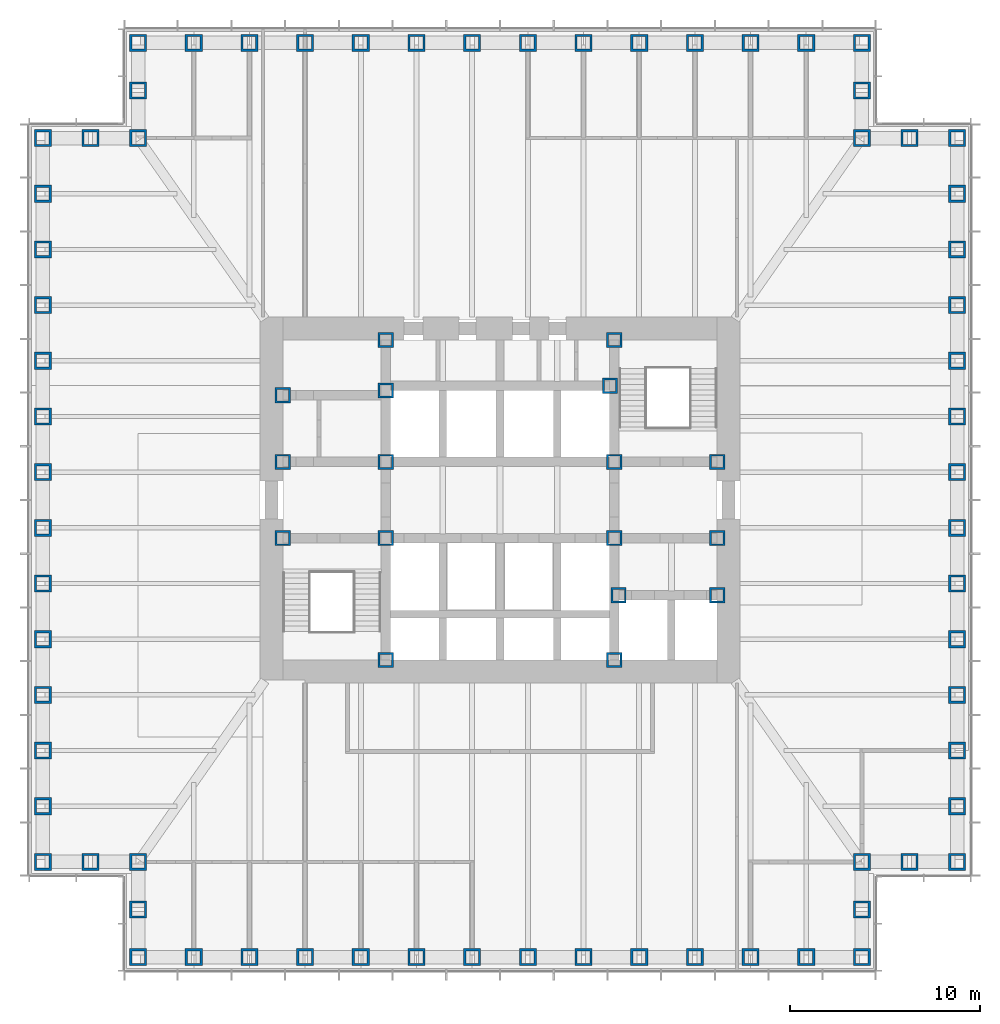
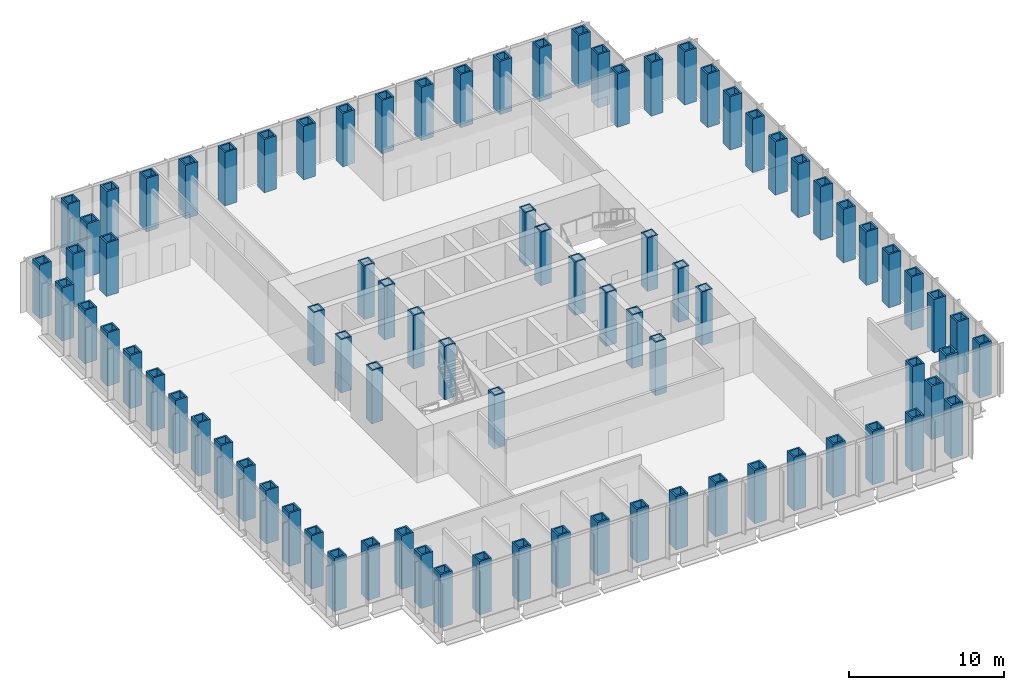
# One storey, part 1 of 16: 85 columns.
"""IFC4 building model written with IfcOpenShell, lengths in metres."""

from ifc_helpers import new_model, si_unit, direction, frame, origin, origin_2d, place, context, subcontext, project, spatial, hollow_rectangle, extrude, material, material_profile, profile_set, type_object, element, save


model = new_model("IFC4")

# Units and contexts
model_context = context("Model", 3, precision=1e-05, world=origin(), true_north=direction((0.0, 1.0)))
body_context = subcontext(model_context, "Body", "Model", "MODEL_VIEW")
ifc_project = project(units=[si_unit("LENGTHUNIT", "METRE"), si_unit("AREAUNIT", "SQUARE_METRE"), si_unit("VOLUMEUNIT", "CUBIC_METRE"), si_unit("PLANEANGLEUNIT", "RADIAN"), si_unit("MASSUNIT", "GRAM", prefix="KILO")], contexts=[model_context])

# Site, building, storey
site_placement = place(None, origin())
site = spatial("IfcSite", under=ifc_project, at=site_placement, CompositionType="ELEMENT")
building_placement = place(site_placement, origin())
building = spatial("IfcBuilding", under=site, at=building_placement, Name="Daluyong Arena Tower", CompositionType="ELEMENT")
storey_placement = place(building_placement, frame((0.0, 0.0, 93.699951171875)))
storey = spatial("IfcBuildingStorey", under=building, at=storey_placement, Name="L20", CompositionType="ELEMENT", Elevation=93.699951171875)

# Columns
ifc_material_1 = material(Name="Steel ASTM A572 Grade 50", Category="steel")
ifc_material_profile_1 = material_profile(ifc_material_1, hollow_rectangle(XDim=0.800048828125, YDim=0.800048828125, WallThickness=0.1, at=origin_2d()))
ifc_profile_set_1 = profile_set([ifc_material_profile_1], Name="Steel ASTM A572 Grade 50")
column_type_1 = type_object("IfcColumnType", Name="Core boundary column BX800X100", PredefinedType="COLUMN", material=ifc_profile_set_1)
for number, where, z_axis, x_axis, name in (
    (1, (44.60009765625, 78.0, 0.0), (0.0, 0.0, 1.0), (1.0, 0.0, 0.0), "core boundary column BC2"),
    (2, (44.60009765625, 82.0, 0.0), (0.0, 0.0, 1.0), (1.0, 0.0, 0.0), "core boundary column BC2"),
    (3, (44.60009765625, 85.5, 0.0), (0.0, 0.0, 1.0), (1.0, 0.0, 0.0), "core boundary column BC2"),
    (4, (50.0, 71.60009765625, 0.0), (0.0, 0.0, 1.0), (1.0, 0.0, 0.0), "core boundary column BC2"),
    (5, (50.0, 78.0, 0.0), (0.0, 0.0, 1.0), (1.0, 0.0, 0.0), "core boundary column BC2"),
    (6, (50.0, 82.0, 0.0), (0.0, 0.0, 1.0), (1.0, 0.0, 0.0), "core boundary column BC2"),
    (7, (50.0, 85.75, 0.0), (0.0, 0.0, 1.0), (1.0, 0.0, 0.0), "core boundary column BC2"),
    (8, (50.0, 88.39990234375, 0.0), (0.0, 0.0, 1.0), (1.0, 0.0, 0.0), "core boundary column BC2"),
    (9, (61.77490234375, 86.0, 0.0), (0.0, 0.0, 1.0), (1.0, 0.0, 0.0), "core boundary column BC2"),
    (10, (62.0, 71.60009765625, 0.0), (0.0, 0.0, 1.0), (1.0, 0.0, 0.0), "core boundary column BC2"),
    (11, (62.0, 78.0, 0.0), (0.0, 0.0, 1.0), (1.0, 0.0, 0.0), "core boundary column BC2"),
    (12, (62.0, 82.0, 0.0), (0.0, 0.0, 1.0), (1.0, 0.0, 0.0), "core boundary column BC2"),
    (13, (62.0, 88.39990234375, 0.0), (0.0, 0.0, 1.0), (1.0, 0.0, 0.0), "core boundary column BC2"),
    (14, (62.22509765625, 75.0, 0.0), (0.0, 0.0, 1.0), (1.0, 0.0, 0.0), "core boundary column BC2"),
    (15, (67.39990234375, 75.0, 0.0), (0.0, 0.0, 1.0), (1.0, 0.0, 0.0), "core boundary column BC2"),
    (16, (67.39990234375, 78.0, 0.0), (0.0, 0.0, 1.0), (1.0, 0.0, 0.0), "core boundary column BC2"),
    (17, (67.39990234375, 82.0, 0.0), (0.0, 0.0, 1.0), (1.0, 0.0, 0.0), "core boundary column BC2"),
):
    element("IfcColumn", number, at=place(storey_placement, frame(where, z_axis=z_axis, x_axis=x_axis)), inside=storey, type_object=column_type_1, Name=name, PredefinedType="COLUMN", context=body_context, shape_type="SweptSolid", body=[
        extrude(hollow_rectangle(XDim=0.800048828125, YDim=0.800048828125, WallThickness=0.1, at=origin_2d()), origin(), (0.0, 0.0, 1.0), 4.199951171875),
    ])
ifc_material_2 = material(Name="Steel ASTM A588 Grade 50", Category="steel")
ifc_material_profile_2 = material_profile(ifc_material_2, hollow_rectangle(XDim=0.89990234375, YDim=0.89990234375, WallThickness=0.12, at=origin_2d()))
ifc_profile_set_2 = profile_set([ifc_material_profile_2], Name="Steel ASTM A588 Grade 50")
column_type_2 = type_object("IfcColumnType", Name="Tube column BX900X120 BX900X120", PredefinedType="COLUMN", material=ifc_profile_set_2)
for number, where, z_axis, x_axis, name in (
    (18, (37.0, 56.0, 0.0), (0.0, 0.0, 1.0), (1.0, 0.0, 0.0), "tube column bx900x120 TC4"),
    (19, (39.923095703125, 56.0, 0.0), (0.0, 0.0, 1.0), (1.0, 0.0, 0.0), "tube column bx900x120 TC4"),
    (20, (42.84619140625, 56.0, 0.0), (0.0, 0.0, 1.0), (1.0, 0.0, 0.0), "tube column bx900x120 TC4"),
    (21, (45.769287109375, 56.0, 0.0), (0.0, 0.0, 1.0), (1.0, 0.0, 0.0), "tube column bx900x120 TC4"),
    (22, (48.6923828125, 56.0, 0.0), (0.0, 0.0, 1.0), (1.0, 0.0, 0.0), "tube column bx900x120 TC4"),
    (23, (51.615478515625, 56.0, 0.0), (0.0, 0.0, 1.0), (1.0, 0.0, 0.0), "tube column bx900x120 TC4"),
    (24, (54.53857421875, 56.0, 0.0), (0.0, 0.0, 1.0), (1.0, 0.0, 0.0), "tube column bx900x120 TC4"),
    (25, (57.46142578125, 56.0, 0.0), (0.0, 0.0, 1.0), (1.0, 0.0, 0.0), "tube column bx900x120 TC4"),
    (26, (60.384521484375, 56.0, 0.0), (0.0, 0.0, 1.0), (1.0, 0.0, 0.0), "tube column bx900x120 TC4"),
    (27, (63.3076171875, 56.0, 0.0), (0.0, 0.0, 1.0), (1.0, 0.0, 0.0), "tube column bx900x120 TC4"),
    (28, (66.230712890625, 56.0, 0.0), (0.0, 0.0, 1.0), (1.0, 0.0, 0.0), "tube column bx900x120 TC4"),
    (29, (69.15380859375, 56.0, 0.0), (0.0, 0.0, 1.0), (1.0, 0.0, 0.0), "tube column bx900x120 TC4"),
    (30, (72.076904296875, 56.0, 0.0), (0.0, 0.0, 1.0), (1.0, 0.0, 0.0), "tube column bx900x120 TC4"),
    (31, (75.0, 56.0, 0.0), (0.0, 0.0, 1.0), (0.0, 1.0, 0.0), "tube column bx900x120 TC4"),
    (32, (75.0, 58.5, 0.0), (0.0, 0.0, 1.0), (0.0, 1.0, 0.0), "tube column bx900x120 TC4"),
    (33, (75.0, 61.0, 0.0), (0.0, 0.0, 1.0), (1.0, 0.0, 0.0), "tube column bx900x120 TC4"),
    (34, (77.5, 61.0, 0.0), (0.0, 0.0, 1.0), (1.0, 0.0, 0.0), "tube column bx900x120 TC4"),
    (35, (80.0, 61.0, 0.0), (0.0, 0.0, 1.0), (0.0, 1.0, 0.0), "tube column bx900x120 TC4"),
    (36, (80.0, 63.923095703125, 0.0), (0.0, 0.0, 1.0), (0.0, 1.0, 0.0), "tube column bx900x120 TC4"),
    (37, (80.0, 66.84619140625, 0.0), (0.0, 0.0, 1.0), (0.0, 1.0, 0.0), "tube column bx900x120 TC4"),
    (38, (80.0, 69.769287109375, 0.0), (0.0, 0.0, 1.0), (0.0, 1.0, 0.0), "tube column bx900x120 TC4"),
    (39, (80.0, 72.6923828125, 0.0), (0.0, 0.0, 1.0), (0.0, 1.0, 0.0), "tube column bx900x120 TC4"),
    (40, (80.0, 75.615478515625, 0.0), (0.0, 0.0, 1.0), (0.0, 1.0, 0.0), "tube column bx900x120 TC4"),
    (41, (80.0, 78.53857421875, 0.0), (0.0, 0.0, 1.0), (0.0, 1.0, 0.0), "tube column bx900x120 TC4"),
    (42, (80.0, 81.46142578125, 0.0), (0.0, 0.0, 1.0), (0.0, 1.0, 0.0), "tube column bx900x120 TC4"),
    (43, (80.0, 84.384521484375, 0.0), (0.0, 0.0, 1.0), (0.0, 1.0, 0.0), "tube column bx900x120 TC4"),
    (44, (80.0, 87.3076171875, 0.0), (0.0, 0.0, 1.0), (0.0, 1.0, 0.0), "tube column bx900x120 TC4"),
    (45, (80.0, 90.230712890625, 0.0), (0.0, 0.0, 1.0), (0.0, 1.0, 0.0), "tube column bx900x120 TC4"),
    (46, (80.0, 93.15380859375, 0.0), (0.0, 0.0, 1.0), (0.0, 1.0, 0.0), "tube column bx900x120 TC4"),
    (47, (80.0, 96.076904296875, 0.0), (0.0, 0.0, 1.0), (0.0, 1.0, 0.0), "tube column bx900x120 TC4"),
    (48, (80.0, 99.0, 0.0), (0.0, 0.0, 1.0), (1.0, 0.0, 0.0), "tube column bx900x120 TC4"),
    (49, (77.5, 99.0, 0.0), (0.0, 0.0, 1.0), (1.0, 0.0, 0.0), "tube column bx900x120 TC4"),
    (50, (75.0, 99.0, 0.0), (0.0, 0.0, 1.0), (0.0, 1.0, 0.0), "tube column bx900x120 TC4"),
    (51, (75.0, 101.5, 0.0), (0.0, 0.0, 1.0), (0.0, 1.0, 0.0), "tube column bx900x120 TC4"),
    (52, (75.0, 104.0, 0.0), (0.0, 0.0, 1.0), (1.0, 0.0, 0.0), "tube column bx900x120 TC4"),
    (53, (72.076904296875, 104.0, 0.0), (0.0, 0.0, 1.0), (1.0, 0.0, 0.0), "tube column bx900x120 TC4"),
    (54, (69.15380859375, 104.0, 0.0), (0.0, 0.0, 1.0), (1.0, 0.0, 0.0), "tube column bx900x120 TC4"),
    (55, (66.230712890625, 104.0, 0.0), (0.0, 0.0, 1.0), (1.0, 0.0, 0.0), "tube column bx900x120 TC4"),
    (56, (63.3076171875, 104.0, 0.0), (0.0, 0.0, 1.0), (1.0, 0.0, 0.0), "tube column bx900x120 TC4"),
    (57, (60.384521484375, 104.0, 0.0), (0.0, 0.0, 1.0), (1.0, 0.0, 0.0), "tube column bx900x120 TC4"),
    (58, (57.46142578125, 104.0, 0.0), (0.0, 0.0, 1.0), (1.0, 0.0, 0.0), "tube column bx900x120 TC4"),
    (59, (54.53857421875, 104.0, 0.0), (0.0, 0.0, 1.0), (1.0, 0.0, 0.0), "tube column bx900x120 TC4"),
    (60, (51.615478515625, 104.0, 0.0), (0.0, 0.0, 1.0), (1.0, 0.0, 0.0), "tube column bx900x120 TC4"),
    (61, (48.6923828125, 104.0, 0.0), (0.0, 0.0, 1.0), (1.0, 0.0, 0.0), "tube column bx900x120 TC4"),
    (62, (45.769287109375, 104.0, 0.0), (0.0, 0.0, 1.0), (1.0, 0.0, 0.0), "tube column bx900x120 TC4"),
    (63, (42.84619140625, 104.0, 0.0), (0.0, 0.0, 1.0), (1.0, 0.0, 0.0), "tube column bx900x120 TC4"),
    (64, (39.923095703125, 104.0, 0.0), (0.0, 0.0, 1.0), (1.0, 0.0, 0.0), "tube column bx900x120 TC4"),
    (65, (37.0, 104.0, 0.0), (0.0, 0.0, 1.0), (0.0, 1.0, 0.0), "tube column bx900x120 TC4"),
    (66, (37.0, 101.5, 0.0), (0.0, 0.0, 1.0), (0.0, 1.0, 0.0), "tube column bx900x120 TC4"),
    (67, (37.0, 99.0, 0.0), (0.0, 0.0, 1.0), (1.0, 0.0, 0.0), "tube column bx900x120 TC4"),
    (68, (34.5, 99.0, 0.0), (0.0, 0.0, 1.0), (1.0, 0.0, 0.0), "tube column bx900x120 TC4"),
    (69, (32.0, 99.0, 0.0), (0.0, 0.0, 1.0), (0.0, 1.0, 0.0), "tube column bx900x120 TC4"),
    (70, (32.0, 96.076904296875, 0.0), (0.0, 0.0, 1.0), (0.0, 1.0, 0.0), "tube column bx900x120 TC4"),
    (71, (32.0, 93.15380859375, 0.0), (0.0, 0.0, 1.0), (0.0, 1.0, 0.0), "tube column bx900x120 TC4"),
    (72, (32.0, 90.230712890625, 0.0), (0.0, 0.0, 1.0), (0.0, 1.0, 0.0), "tube column bx900x120 TC4"),
    (73, (32.0, 87.3076171875, 0.0), (0.0, 0.0, 1.0), (0.0, 1.0, 0.0), "tube column bx900x120 TC4"),
    (74, (32.0, 84.384521484375, 0.0), (0.0, 0.0, 1.0), (0.0, 1.0, 0.0), "tube column bx900x120 TC4"),
    (75, (32.0, 81.46142578125, 0.0), (0.0, 0.0, 1.0), (0.0, 1.0, 0.0), "tube column bx900x120 TC4"),
    (76, (32.0, 78.53857421875, 0.0), (0.0, 0.0, 1.0), (0.0, 1.0, 0.0), "tube column bx900x120 TC4"),
    (77, (32.0, 75.615478515625, 0.0), (0.0, 0.0, 1.0), (0.0, 1.0, 0.0), "tube column bx900x120 TC4"),
    (78, (32.0, 72.6923828125, 0.0), (0.0, 0.0, 1.0), (0.0, 1.0, 0.0), "tube column bx900x120 TC4"),
    (79, (32.0, 69.769287109375, 0.0), (0.0, 0.0, 1.0), (0.0, 1.0, 0.0), "tube column bx900x120 TC4"),
    (80, (32.0, 66.84619140625, 0.0), (0.0, 0.0, 1.0), (0.0, 1.0, 0.0), "tube column bx900x120 TC4"),
    (81, (32.0, 63.923095703125, 0.0), (0.0, 0.0, 1.0), (0.0, 1.0, 0.0), "tube column bx900x120 TC4"),
    (82, (32.0, 61.0, 0.0), (0.0, 0.0, 1.0), (1.0, 0.0, 0.0), "tube column bx900x120 TC4"),
    (83, (34.5, 61.0, 0.0), (0.0, 0.0, 1.0), (1.0, 0.0, 0.0), "tube column bx900x120 TC4"),
    (84, (37.0, 61.0, 0.0), (0.0, 0.0, 1.0), (0.0, 1.0, 0.0), "tube column bx900x120 TC4"),
    (85, (37.0, 58.5, 0.0), (0.0, 0.0, 1.0), (0.0, 1.0, 0.0), "tube column bx900x120 TC4"),
):
    element("IfcColumn", number, at=place(storey_placement, frame(where, z_axis=z_axis, x_axis=x_axis)), inside=storey, type_object=column_type_2, Name=name, PredefinedType="COLUMN", context=body_context, shape_type="SweptSolid", body=[
        extrude(hollow_rectangle(XDim=0.89990234375, YDim=0.89990234375, WallThickness=0.12, at=origin_2d()), origin(), (0.0, 0.0, 1.0), 4.199951171875),
    ])

save(model, "model.ifc")
